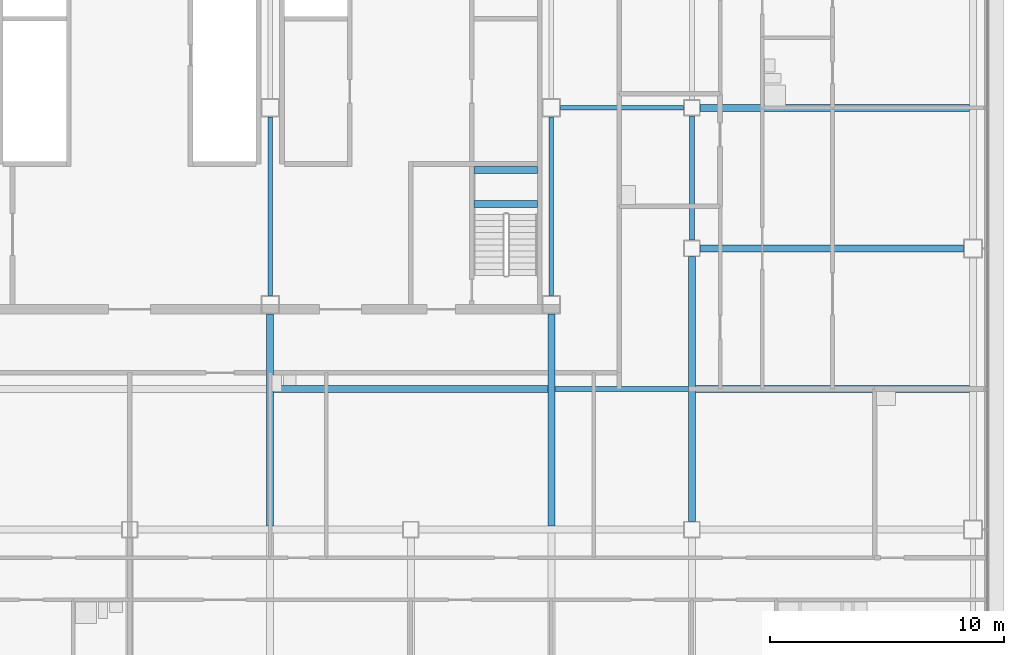
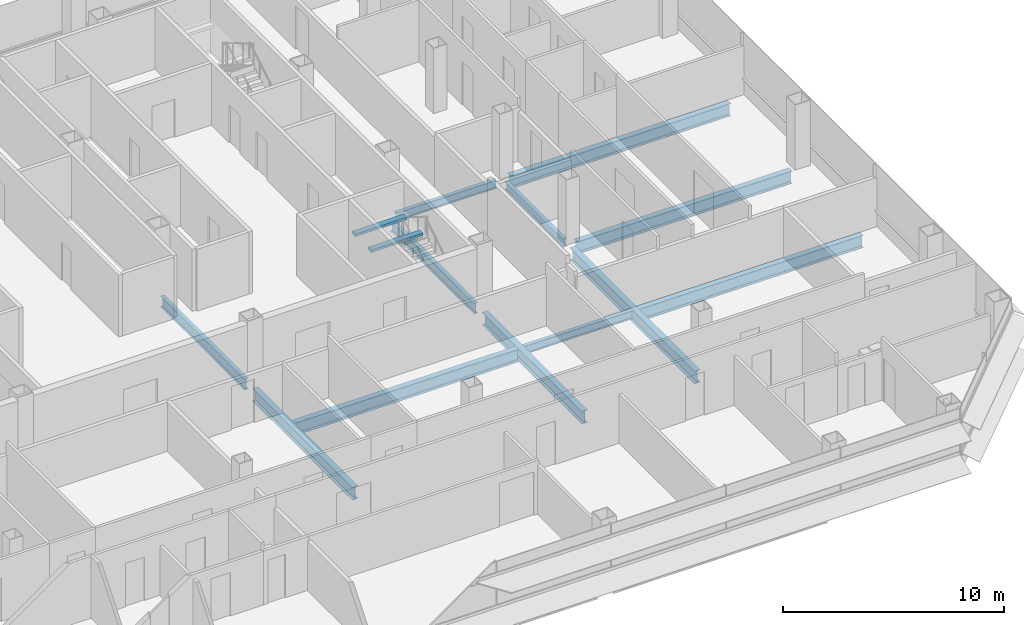
# One storey, part 10 of 25: 14 beams.
"""IFC4 building model written with IfcOpenShell, lengths in metres."""

from ifc_helpers import new_model, si_unit, direction, frame, origin, origin_2d, place, context, subcontext, project, spatial, rectangle, i_section, extrude, material, material_profile, profile_set, type_object, element, save


model = new_model("IFC4")

# Units and contexts
model_context = context("Model", 3, precision=1e-05, world=origin(), true_north=direction((0.0, 1.0)))
body_context = subcontext(model_context, "Body", "Model", "MODEL_VIEW")
ifc_project = project(units=[si_unit("LENGTHUNIT", "METRE"), si_unit("AREAUNIT", "SQUARE_METRE"), si_unit("VOLUMEUNIT", "CUBIC_METRE"), si_unit("PLANEANGLEUNIT", "RADIAN"), si_unit("MASSUNIT", "GRAM", prefix="KILO")], contexts=[model_context])

# Site, building, storey
site_placement = place(None, origin())
site = spatial("IfcSite", under=ifc_project, at=site_placement, CompositionType="ELEMENT")
building_placement = place(site_placement, origin())
building = spatial("IfcBuilding", under=site, at=building_placement, Name="Sorahane Residences", CompositionType="ELEMENT")
storey_placement = place(building_placement, frame((0.0, 0.0, 143.800048828125)))
storey = spatial("IfcBuildingStorey", under=building, at=storey_placement, Name="L32", CompositionType="ELEMENT", Elevation=143.800048828125)

# Beams
ifc_material_1 = material(Name="Concrete C40", Category="concrete")
ifc_material_profile_1 = material_profile(ifc_material_1, rectangle(XDim=0.300048828125, YDim=0.139892578125, at=origin_2d()), Name="300x140")
ifc_profile_set_1 = profile_set([ifc_material_profile_1], Name="Concrete C40")
beam_type_1 = type_object("IfcBeamType", Name="RC landing beam 300 x 140 Concrete C40", PredefinedType="BEAM", material=ifc_profile_set_1)
for number, where, z_axis, x_axis, name in (
    (1, (38.699951171875, 25.89990234375, 1.530029296875), (1.0, 0.0, 0.0), (0.0, 1.0, 0.0), "Landing beam"),
    (2, (38.699951171875, 27.35009765625, 1.530029296875), (1.0, 0.0, 0.0), (0.0, 1.0, 0.0), "Landing beam"),
):
    element("IfcBeam", number, at=place(storey_placement, frame(where, z_axis=z_axis, x_axis=x_axis)), inside=storey, type_object=beam_type_1, Name=name, PredefinedType="BEAM", context=body_context, shape_type="SweptSolid", body=[
        extrude(rectangle(XDim=0.300048828125, YDim=0.139892578125, at=origin_2d()), origin(), (0.0, 0.0, 1.0), 2.699951171875),
    ])
ifc_material_2 = material(Name="Steel Q355B", Category="steel")
ifc_material_profile_2 = material_profile(ifc_material_2, i_section(OverallWidth=0.199951171875, OverallDepth=0.449951171875, WebThickness=0.009033203125, FlangeThickness=0.013916015625, FilletRadius=0.02001953125, at=origin_2d()), Name="HN 450x200x9x14")
ifc_profile_set_2 = profile_set([ifc_material_profile_2], Name="Steel Q355B")
beam_type_2 = type_object("IfcBeamType", Name="Steel floor beam HN 450x200x9x14 Q355B", PredefinedType="BEAM", material=ifc_profile_set_2)
beam_1_placement = place(storey_placement, frame((48.0, 24.35009765625, -0.405029296875), z_axis=(0.0, 1.0, 0.0), x_axis=(-1.0, 0.0, 0.0)))
element("IfcBeam", 3, at=beam_1_placement, inside=storey, type_object=beam_type_2, Name="Beam L32 060", PredefinedType="BEAM", context=body_context, shape_type="SweptSolid", body=[
    extrude(i_section(OverallWidth=0.199951171875, OverallDepth=0.449951171875, WebThickness=0.009033203125, FlangeThickness=0.013916015625, FilletRadius=0.02001953125, at=origin_2d()), origin(), (0.0, 0.0, 1.0), 5.2998046875),
])
beam_2_placement = place(storey_placement, frame((42.14990234375, 18.0, -0.405029296875), z_axis=(1.0, 0.0, 0.0), x_axis=(0.0, 1.0, 0.0)))
element("IfcBeam", 4, at=beam_2_placement, inside=storey, type_object=beam_type_2, Name="Beam L32 083", PredefinedType="BEAM", context=body_context, shape_type="SweptSolid", body=[
    extrude(i_section(OverallWidth=0.199951171875, OverallDepth=0.449951171875, WebThickness=0.009033203125, FlangeThickness=0.013916015625, FilletRadius=0.02001953125, at=origin_2d()), origin(), (0.0, 0.0, 1.0), 5.7001953125),
])
beam_3_placement = place(storey_placement, frame((42.39990234375, 30.0, -0.405029296875), z_axis=(1.0, 0.0, 0.0), x_axis=(0.0, 1.0, 0.0)))
element("IfcBeam", 5, at=beam_3_placement, inside=storey, type_object=beam_type_2, Name="Beam L32 087", PredefinedType="BEAM", context=body_context, shape_type="SweptSolid", body=[
    extrude(i_section(OverallWidth=0.199951171875, OverallDepth=0.449951171875, WebThickness=0.009033203125, FlangeThickness=0.013916015625, FilletRadius=0.02001953125, at=origin_2d()), origin(), (0.0, 0.0, 1.0), 5.25),
])
ifc_material_3 = material(Name="Steel Q355B", Category="steel")
ifc_material_profile_3 = material_profile(ifc_material_3, i_section(OverallWidth=0.199951171875, OverallDepth=0.60009765625, WebThickness=0.010986328125, FlangeThickness=0.01708984375, FilletRadius=0.02392578125, at=origin_2d()), Name="HN 600x200x11x17")
ifc_profile_set_3 = profile_set([ifc_material_profile_3], Name="Steel Q355B")
beam_type_3 = type_object("IfcBeamType", Name="Steel floor beam HN 600x200x11x17 Q355B", PredefinedType="BEAM", material=ifc_profile_set_3)
for number, where, z_axis, x_axis, name in (
    (6, (30.0, 22.0, -0.47998046875), (0.0, 1.0, 0.0), (-1.0, 0.0, 0.0), "Beam L32 046"),
    (7, (42.0, 22.0, -0.47998046875), (0.0, 1.0, 0.0), (-1.0, 0.0, 0.0), "Beam L32 054"),
):
    element("IfcBeam", number, at=place(storey_placement, frame(where, z_axis=z_axis, x_axis=x_axis)), inside=storey, type_object=beam_type_3, Name=name, PredefinedType="BEAM", context=body_context, shape_type="SweptSolid", body=[
        extrude(i_section(OverallWidth=0.199951171875, OverallDepth=0.60009765625, WebThickness=0.010986328125, FlangeThickness=0.01708984375, FilletRadius=0.02392578125, at=origin_2d()), origin(), (0.0, 0.0, 1.0), 7.60009765625),
    ])
ifc_material_4 = material(Name="Steel Q355B", Category="steel")
ifc_material_profile_4 = material_profile(ifc_material_4, i_section(OverallWidth=0.300048828125, OverallDepth=0.699951171875, WebThickness=0.012939453125, FlangeThickness=0.02392578125, FilletRadius=0.028076171875, at=origin_2d()), Name="HN 700x300x13x24")
ifc_profile_set_4 = profile_set([ifc_material_profile_4], Name="Steel Q355B")
beam_type_4 = type_object("IfcBeamType", Name="Steel floor beam HN 700x300x13x24 Q355B", PredefinedType="BEAM", material=ifc_profile_set_4)
beam_4_placement = place(storey_placement, frame((48.35009765625, 24.0, -0.530029296875), z_axis=(1.0, 0.0, 0.0), x_axis=(0.0, 1.0, 0.0)))
element("IfcBeam", 8, at=beam_4_placement, inside=storey, type_object=beam_type_4, Name="Beam L32 012", PredefinedType="BEAM", context=body_context, shape_type="SweptSolid", body=[
    extrude(i_section(OverallWidth=0.300048828125, OverallDepth=0.699951171875, WebThickness=0.012939453125, FlangeThickness=0.02392578125, FilletRadius=0.028076171875, at=origin_2d()), origin(), (0.0, 0.0, 1.0), 11.25),
])
for number, where, z_axis, x_axis, name in (
    (9, (30.0, 12.14990234375, -0.530029296875), (0.0, 1.0, 0.0), (-1.0, 0.0, 0.0), "Beam L32 045"),
    (10, (42.0, 12.14990234375, -0.530029296875), (0.0, 1.0, 0.0), (-1.0, 0.0, 0.0), "Beam L32 053"),
):
    element("IfcBeam", number, at=place(storey_placement, frame(where, z_axis=z_axis, x_axis=x_axis)), inside=storey, type_object=beam_type_4, Name=name, PredefinedType="BEAM", context=body_context, shape_type="SweptSolid", body=[
        extrude(i_section(OverallWidth=0.300048828125, OverallDepth=0.699951171875, WebThickness=0.012939453125, FlangeThickness=0.02392578125, FilletRadius=0.028076171875, at=origin_2d()), origin(), (0.0, 0.0, 1.0), 9.050048828125),
    ])
beam_5_placement = place(storey_placement, frame((48.0, 12.35009765625, -0.530029296875), z_axis=(0.0, 1.0, 0.0), x_axis=(-1.0, 0.0, 0.0)))
element("IfcBeam", 11, at=beam_5_placement, inside=storey, type_object=beam_type_4, Name="Beam L32 059", PredefinedType="BEAM", context=body_context, shape_type="SweptSolid", body=[
    extrude(i_section(OverallWidth=0.300048828125, OverallDepth=0.699951171875, WebThickness=0.012939453125, FlangeThickness=0.02392578125, FilletRadius=0.028076171875, at=origin_2d()), origin(), (0.0, 0.0, 1.0), 11.2998046875),
])
for number, where, z_axis, x_axis, name in (
    (12, (30.14990234375, 18.0, -0.530029296875), (1.0, 0.0, 0.0), (0.0, 1.0, 0.0), "Beam L32 082"),
    (13, (48.14990234375, 18.0, -0.530029296875), (1.0, 0.0, 0.0), (0.0, 1.0, 0.0), "Beam L32 084"),
):
    element("IfcBeam", number, at=place(storey_placement, frame(where, z_axis=z_axis, x_axis=x_axis)), inside=storey, type_object=beam_type_4, Name=name, PredefinedType="BEAM", context=body_context, shape_type="SweptSolid", body=[
        extrude(i_section(OverallWidth=0.300048828125, OverallDepth=0.699951171875, WebThickness=0.012939453125, FlangeThickness=0.02392578125, FilletRadius=0.028076171875, at=origin_2d()), origin(), (0.0, 0.0, 1.0), 11.7001953125),
    ])
beam_6_placement = place(storey_placement, frame((48.35009765625, 30.0, -0.530029296875), z_axis=(1.0, 0.0, 0.0), x_axis=(0.0, 1.0, 0.0)))
element("IfcBeam", 14, at=beam_6_placement, inside=storey, type_object=beam_type_4, Name="Beam L32 088", PredefinedType="BEAM", context=body_context, shape_type="SweptSolid", body=[
    extrude(i_section(OverallWidth=0.300048828125, OverallDepth=0.699951171875, WebThickness=0.012939453125, FlangeThickness=0.02392578125, FilletRadius=0.028076171875, at=origin_2d()), origin(), (0.0, 0.0, 1.0), 11.5),
])

save(model, "model.ifc")
